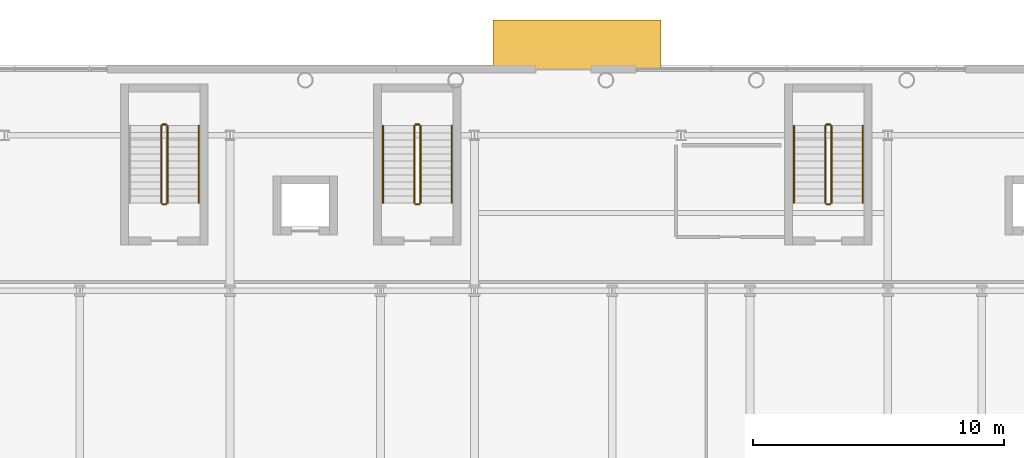
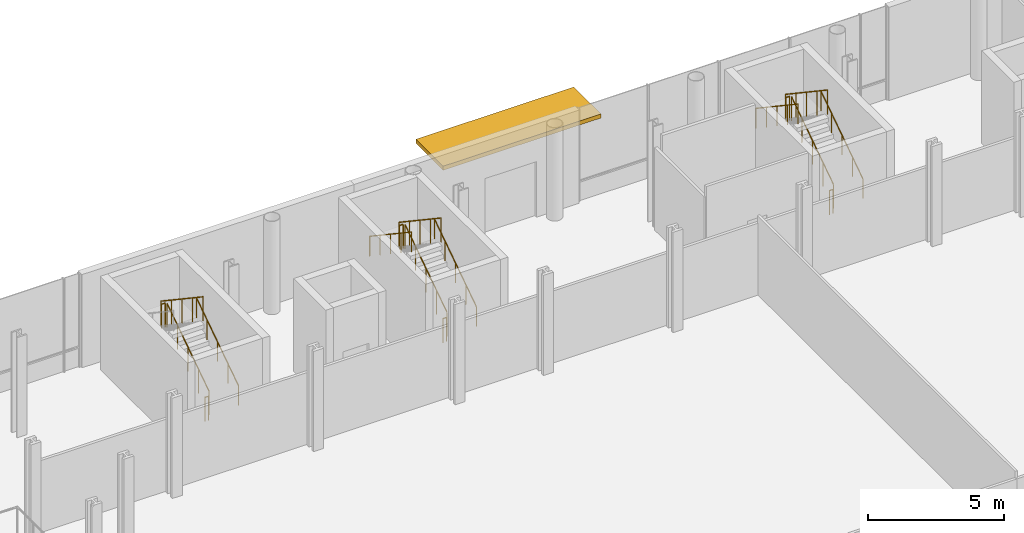
# One storey, part 26 of 28: 17 railings, 1 shading device.
"""IFC4 building model written with IfcOpenShell, lengths in metres."""

from ifc_helpers import new_model, si_unit, direction, frame, origin, origin_2d, place, context, subcontext, project, spatial, polyline, circle, outline, extrude, material, layer, layer_set, type_object, element, save


model = new_model("IFC4")

# Units and contexts
model_context = context("Model", 3, precision=1e-05, world=origin(), true_north=direction((0.0, 1.0)))
body_context = subcontext(model_context, "Body", "Model", "MODEL_VIEW")
ifc_project = project(units=[si_unit("LENGTHUNIT", "METRE"), si_unit("AREAUNIT", "SQUARE_METRE"), si_unit("VOLUMEUNIT", "CUBIC_METRE"), si_unit("PLANEANGLEUNIT", "RADIAN"), si_unit("MASSUNIT", "GRAM", prefix="KILO")], contexts=[model_context])

# Site, building, storey
site_placement = place(None, origin())
site = spatial("IfcSite", under=ifc_project, at=site_placement, CompositionType="ELEMENT")
building_placement = place(site_placement, origin())
building = spatial("IfcBuilding", under=site, at=building_placement, Name="Brevholm Reach", CompositionType="ELEMENT")
storey_placement = place(building_placement, origin())
storey = spatial("IfcBuildingStorey", under=building, at=storey_placement, Name="L00", CompositionType="ELEMENT", Elevation=0.0)

# Railings
ifc_material_1 = material(Name="Brushed Stainless Steel EN 1.4401 Continuous Handrail", Category="steel")
railing_type_1 = type_object("IfcRailingType", Name="RAL-HND-950", PredefinedType="HANDRAIL", material=ifc_material_1)
for number, where, name in (
    (1, (10.75, 34.5, 0.1875), "L00 ST-S1 stair handrail 1"),
    (2, (20.85009765625, 34.5, 0.1875), "L00 ST-S2 stair handrail 1"),
):
    element("IfcRailing", number, at=place(storey_placement, frame(where)), inside=storey, type_object=railing_type_1, Name=name, PredefinedType="HANDRAIL", context=body_context, shape_type="SweptSolid", body=[
        extrude(circle(Radius=0.02392578125, at=origin_2d()), frame((0.0, 0.0, 0.8857421875), z_axis=(0.0, 0.830913701846, 0.55640131208), x_axis=(-1.0, 0.0, 0.0)), (0.0, 0.0, 1.0), 3.706787109375),
        extrude(circle(Radius=0.02099609375, at=origin_2d()), origin(), (0.0, 0.0, 1.0), 0.86181640625),
        extrude(circle(Radius=0.02099609375, at=origin_2d()), frame((0.0, 0.77001953125, 0.515625)), (0.0, 0.0, 1.0), 0.86181640625),
        extrude(circle(Radius=0.02099609375, at=origin_2d()), frame((0.0, 1.5400390625, 1.03125)), (0.0, 0.0, 1.0), 0.86181640625),
        extrude(circle(Radius=0.02099609375, at=origin_2d()), frame((0.0, 2.31005859375, 1.546875)), (0.0, 0.0, 1.0), 0.86181640625),
        extrude(circle(Radius=0.02099609375, at=origin_2d()), frame((0.0, 3.080078125, 2.0625)), (0.0, 0.0, 1.0), 0.86181640625),
    ])
railing_1_placement = place(storey_placement, frame((18.10009765625, 37.580078125, 2.4375)))
element("IfcRailing", 3, at=railing_1_placement, inside=storey, type_object=railing_type_1, Name="L00 ST-S2 stair handrail 2", PredefinedType="HANDRAIL", context=body_context, shape_type="SweptSolid", body=[
    extrude(circle(Radius=0.02392578125, at=origin_2d()), frame((0.0, 0.0, 0.8857421875), z_axis=(0.0, -0.830913701846, 0.55640131208), x_axis=(1.0, 0.0, 0.0)), (0.0, 0.0, 1.0), 3.706787109375),
    extrude(circle(Radius=0.02099609375, at=origin_2d()), origin(), (0.0, 0.0, 1.0), 0.86181640625),
    extrude(circle(Radius=0.02099609375, at=origin_2d()), frame((0.0, -0.77001953125, 0.515625)), (0.0, 0.0, 1.0), 0.86181640625),
    extrude(circle(Radius=0.02099609375, at=origin_2d()), frame((0.0, -1.5400390625, 1.03125)), (0.0, 0.0, 1.0), 0.86181640625),
    extrude(circle(Radius=0.02099609375, at=origin_2d()), frame((0.0, -2.31005859375, 1.546875)), (0.0, 0.0, 1.0), 0.86181640625),
    extrude(circle(Radius=0.02099609375, at=origin_2d()), frame((0.0, -3.080078125, 2.0625)), (0.0, 0.0, 1.0), 0.86181640625),
])
railing_2_placement = place(storey_placement, frame((37.25, 34.5, 0.1875)))
element("IfcRailing", 4, at=railing_2_placement, inside=storey, type_object=railing_type_1, Name="L00 ST-S3 stair handrail 1", PredefinedType="HANDRAIL", context=body_context, shape_type="SweptSolid", body=[
    extrude(circle(Radius=0.02392578125, at=origin_2d()), frame((0.0, 0.0, 0.8857421875), z_axis=(0.0, 0.830913701846, 0.55640131208), x_axis=(-1.0, 0.0, 0.0)), (0.0, 0.0, 1.0), 3.706787109375),
    extrude(circle(Radius=0.02099609375, at=origin_2d()), origin(), (0.0, 0.0, 1.0), 0.86181640625),
    extrude(circle(Radius=0.02099609375, at=origin_2d()), frame((0.0, 0.77001953125, 0.515625)), (0.0, 0.0, 1.0), 0.86181640625),
    extrude(circle(Radius=0.02099609375, at=origin_2d()), frame((0.0, 1.5400390625, 1.03125)), (0.0, 0.0, 1.0), 0.86181640625),
    extrude(circle(Radius=0.02099609375, at=origin_2d()), frame((0.0, 2.31005859375, 1.546875)), (0.0, 0.0, 1.0), 0.86181640625),
    extrude(circle(Radius=0.02099609375, at=origin_2d()), frame((0.0, 3.080078125, 2.0625)), (0.0, 0.0, 1.0), 0.86181640625),
])
railing_3_placement = place(storey_placement, frame((34.5, 37.580078125, 2.4375)))
element("IfcRailing", 5, at=railing_3_placement, inside=storey, type_object=railing_type_1, Name="L00 ST-S3 stair handrail 2", PredefinedType="HANDRAIL", context=body_context, shape_type="SweptSolid", body=[
    extrude(circle(Radius=0.02392578125, at=origin_2d()), frame((0.0, 0.0, 0.8857421875), z_axis=(0.0, -0.830913701846, 0.55640131208), x_axis=(1.0, 0.0, 0.0)), (0.0, 0.0, 1.0), 3.706787109375),
    extrude(circle(Radius=0.02099609375, at=origin_2d()), origin(), (0.0, 0.0, 1.0), 0.86181640625),
    extrude(circle(Radius=0.02099609375, at=origin_2d()), frame((0.0, -0.77001953125, 0.515625)), (0.0, 0.0, 1.0), 0.86181640625),
    extrude(circle(Radius=0.02099609375, at=origin_2d()), frame((0.0, -1.5400390625, 1.03125)), (0.0, 0.0, 1.0), 0.86181640625),
    extrude(circle(Radius=0.02099609375, at=origin_2d()), frame((0.0, -2.31005859375, 1.546875)), (0.0, 0.0, 1.0), 0.86181640625),
    extrude(circle(Radius=0.02099609375, at=origin_2d()), frame((0.0, -3.080078125, 2.0625)), (0.0, 0.0, 1.0), 0.86181640625),
])
ifc_material_2 = material(Name="Painted Tubular Galvanised Steel S275JR Stair Guard", Category="steel")
railing_type_2 = type_object("IfcRailingType", Name="RAL-STG-1120", PredefinedType="BALUSTRADE", material=ifc_material_2)
railing_4_placement = place(storey_placement, frame((9.5, 34.5, 0.1875)))
element("IfcRailing", 6, at=railing_4_placement, inside=storey, type_object=railing_type_2, Name="L00 ST-S1 stair guard 1", PredefinedType="BALUSTRADE", context=body_context, shape_type="SweptSolid", body=[
    extrude(circle(Radius=0.02392578125, at=origin_2d()), frame((0.0, 0.0, 1.076171875), z_axis=(0.0, 0.830913701846, 0.55640131208), x_axis=(-1.0, 0.0, 0.0)), (0.0, 0.0, 1.0), 3.706787109375),
    extrude(circle(Radius=0.02099609375, at=origin_2d()), origin(), (0.0, 0.0, 1.0), 1.052001953125),
    extrude(circle(Radius=0.02099609375, at=origin_2d()), frame((0.0, 0.77001953125, 0.515625)), (0.0, 0.0, 1.0), 1.052001953125),
    extrude(circle(Radius=0.02099609375, at=origin_2d()), frame((0.0, 1.5400390625, 1.03125)), (0.0, 0.0, 1.0), 1.052001953125),
    extrude(circle(Radius=0.02099609375, at=origin_2d()), frame((0.0, 2.31005859375, 1.546875)), (0.0, 0.0, 1.0), 1.052001953125),
    extrude(circle(Radius=0.02099609375, at=origin_2d()), frame((0.0, 3.080078125, 2.0625)), (0.0, 0.0, 1.0), 1.052001953125),
])
railing_5_placement = place(storey_placement, frame((9.449951171875, 37.6298828125, 2.25)))
element("IfcRailing", 7, at=railing_5_placement, inside=storey, type_object=railing_type_2, Name="L00 ST-S1 stair guard 2", PredefinedType="BALUSTRADE", context=body_context, shape_type="SweptSolid", body=[
    extrude(circle(Radius=0.02392578125, at=origin_2d()), frame((0.0, 0.0, 1.076171875), z_axis=(-1.0, 0.0, 0.0), x_axis=(0.0, -1.0, 0.0)), (0.0, 0.0, 1.0), 0.14990234375),
    extrude(circle(Radius=0.02099609375, at=origin_2d()), origin(), (0.0, 0.0, 1.0), 1.052001953125),
    extrude(circle(Radius=0.02099609375, at=origin_2d()), frame((-0.14990234375, 0.0, 0.0)), (0.0, 0.0, 1.0), 1.052001953125),
])
railing_6_placement = place(storey_placement, frame((9.25, 37.580078125, 2.4375)))
element("IfcRailing", 8, at=railing_6_placement, inside=storey, type_object=railing_type_2, Name="L00 ST-S1 stair guard 3", PredefinedType="BALUSTRADE", context=body_context, shape_type="SweptSolid", body=[
    extrude(circle(Radius=0.02392578125, at=origin_2d()), frame((0.0, 0.0, 1.076171875), z_axis=(0.0, -0.830913701846, 0.55640131208), x_axis=(1.0, 0.0, 0.0)), (0.0, 0.0, 1.0), 3.706787109375),
    extrude(circle(Radius=0.02099609375, at=origin_2d()), origin(), (0.0, 0.0, 1.0), 1.052001953125),
    extrude(circle(Radius=0.02099609375, at=origin_2d()), frame((0.0, -0.77001953125, 0.515625)), (0.0, 0.0, 1.0), 1.052001953125),
    extrude(circle(Radius=0.02099609375, at=origin_2d()), frame((0.0, -1.5400390625, 1.03125)), (0.0, 0.0, 1.0), 1.052001953125),
    extrude(circle(Radius=0.02099609375, at=origin_2d()), frame((0.0, -2.31005859375, 1.546875)), (0.0, 0.0, 1.0), 1.052001953125),
    extrude(circle(Radius=0.02099609375, at=origin_2d()), frame((0.0, -3.080078125, 2.0625)), (0.0, 0.0, 1.0), 1.052001953125),
])
railing_7_placement = place(storey_placement, frame((9.449951171875, 34.449951171875, 0.0)))
element("IfcRailing", 9, at=railing_7_placement, inside=storey, type_object=railing_type_2, Name="L00 ST-S1 stair guard 4", PredefinedType="BALUSTRADE", context=body_context, shape_type="SweptSolid", body=[
    extrude(circle(Radius=0.02392578125, at=origin_2d()), frame((0.0, 0.0, 1.076171875), z_axis=(-1.0, 0.0, 0.0), x_axis=(0.0, -1.0, 0.0)), (0.0, 0.0, 1.0), 0.14990234375),
    extrude(circle(Radius=0.02099609375, at=origin_2d()), origin(), (0.0, 0.0, 1.0), 1.052001953125),
    extrude(circle(Radius=0.02099609375, at=origin_2d()), frame((-0.14990234375, 0.0, 0.0)), (0.0, 0.0, 1.0), 1.052001953125),
])
railing_8_placement = place(storey_placement, frame((19.60009765625, 34.5, 0.1875)))
element("IfcRailing", 10, at=railing_8_placement, inside=storey, type_object=railing_type_2, Name="L00 ST-S2 stair guard 1", PredefinedType="BALUSTRADE", context=body_context, shape_type="SweptSolid", body=[
    extrude(circle(Radius=0.02392578125, at=origin_2d()), frame((0.0, 0.0, 1.076171875), z_axis=(0.0, 0.830913701846, 0.55640131208), x_axis=(-1.0, 0.0, 0.0)), (0.0, 0.0, 1.0), 3.706787109375),
    extrude(circle(Radius=0.02099609375, at=origin_2d()), origin(), (0.0, 0.0, 1.0), 1.052001953125),
    extrude(circle(Radius=0.02099609375, at=origin_2d()), frame((0.0, 0.77001953125, 0.515625)), (0.0, 0.0, 1.0), 1.052001953125),
    extrude(circle(Radius=0.02099609375, at=origin_2d()), frame((0.0, 1.5400390625, 1.03125)), (0.0, 0.0, 1.0), 1.052001953125),
    extrude(circle(Radius=0.02099609375, at=origin_2d()), frame((0.0, 2.31005859375, 1.546875)), (0.0, 0.0, 1.0), 1.052001953125),
    extrude(circle(Radius=0.02099609375, at=origin_2d()), frame((0.0, 3.080078125, 2.0625)), (0.0, 0.0, 1.0), 1.052001953125),
])
railing_9_placement = place(storey_placement, frame((19.550048828125, 37.6298828125, 2.25)))
element("IfcRailing", 11, at=railing_9_placement, inside=storey, type_object=railing_type_2, Name="L00 ST-S2 stair guard 2", PredefinedType="BALUSTRADE", context=body_context, shape_type="SweptSolid", body=[
    extrude(circle(Radius=0.02392578125, at=origin_2d()), frame((0.0, 0.0, 1.076171875), z_axis=(-1.0, 0.0, 0.0), x_axis=(0.0, -1.0, 0.0)), (0.0, 0.0, 1.0), 0.150146484375),
    extrude(circle(Radius=0.02099609375, at=origin_2d()), origin(), (0.0, 0.0, 1.0), 1.052001953125),
    extrude(circle(Radius=0.02099609375, at=origin_2d()), frame((-0.150146484375, 0.0, 0.0)), (0.0, 0.0, 1.0), 1.052001953125),
])
railing_10_placement = place(storey_placement, frame((19.35009765625, 37.580078125, 2.4375)))
element("IfcRailing", 12, at=railing_10_placement, inside=storey, type_object=railing_type_2, Name="L00 ST-S2 stair guard 3", PredefinedType="BALUSTRADE", context=body_context, shape_type="SweptSolid", body=[
    extrude(circle(Radius=0.02392578125, at=origin_2d()), frame((0.0, 0.0, 1.076171875), z_axis=(0.0, -0.830913701846, 0.55640131208), x_axis=(1.0, 0.0, 0.0)), (0.0, 0.0, 1.0), 3.706787109375),
    extrude(circle(Radius=0.02099609375, at=origin_2d()), origin(), (0.0, 0.0, 1.0), 1.052001953125),
    extrude(circle(Radius=0.02099609375, at=origin_2d()), frame((0.0, -0.77001953125, 0.515625)), (0.0, 0.0, 1.0), 1.052001953125),
    extrude(circle(Radius=0.02099609375, at=origin_2d()), frame((0.0, -1.5400390625, 1.03125)), (0.0, 0.0, 1.0), 1.052001953125),
    extrude(circle(Radius=0.02099609375, at=origin_2d()), frame((0.0, -2.31005859375, 1.546875)), (0.0, 0.0, 1.0), 1.052001953125),
    extrude(circle(Radius=0.02099609375, at=origin_2d()), frame((0.0, -3.080078125, 2.0625)), (0.0, 0.0, 1.0), 1.052001953125),
])
railing_11_placement = place(storey_placement, frame((19.550048828125, 34.449951171875, 0.0)))
element("IfcRailing", 13, at=railing_11_placement, inside=storey, type_object=railing_type_2, Name="L00 ST-S2 stair guard 4", PredefinedType="BALUSTRADE", context=body_context, shape_type="SweptSolid", body=[
    extrude(circle(Radius=0.02392578125, at=origin_2d()), frame((0.0, 0.0, 1.076171875), z_axis=(-1.0, 0.0, 0.0), x_axis=(0.0, -1.0, 0.0)), (0.0, 0.0, 1.0), 0.150146484375),
    extrude(circle(Radius=0.02099609375, at=origin_2d()), origin(), (0.0, 0.0, 1.0), 1.052001953125),
    extrude(circle(Radius=0.02099609375, at=origin_2d()), frame((-0.150146484375, 0.0, 0.0)), (0.0, 0.0, 1.0), 1.052001953125),
])
railing_12_placement = place(storey_placement, frame((36.0, 34.5, 0.1875)))
element("IfcRailing", 14, at=railing_12_placement, inside=storey, type_object=railing_type_2, Name="L00 ST-S3 stair guard 1", PredefinedType="BALUSTRADE", context=body_context, shape_type="SweptSolid", body=[
    extrude(circle(Radius=0.02392578125, at=origin_2d()), frame((0.0, 0.0, 1.076171875), z_axis=(0.0, 0.830913701846, 0.55640131208), x_axis=(-1.0, 0.0, 0.0)), (0.0, 0.0, 1.0), 3.706787109375),
    extrude(circle(Radius=0.02099609375, at=origin_2d()), origin(), (0.0, 0.0, 1.0), 1.052001953125),
    extrude(circle(Radius=0.02099609375, at=origin_2d()), frame((0.0, 0.77001953125, 0.515625)), (0.0, 0.0, 1.0), 1.052001953125),
    extrude(circle(Radius=0.02099609375, at=origin_2d()), frame((0.0, 1.5400390625, 1.03125)), (0.0, 0.0, 1.0), 1.052001953125),
    extrude(circle(Radius=0.02099609375, at=origin_2d()), frame((0.0, 2.31005859375, 1.546875)), (0.0, 0.0, 1.0), 1.052001953125),
    extrude(circle(Radius=0.02099609375, at=origin_2d()), frame((0.0, 3.080078125, 2.0625)), (0.0, 0.0, 1.0), 1.052001953125),
])
railing_13_placement = place(storey_placement, frame((35.949951171875, 37.6298828125, 2.25)))
element("IfcRailing", 15, at=railing_13_placement, inside=storey, type_object=railing_type_2, Name="L00 ST-S3 stair guard 2", PredefinedType="BALUSTRADE", context=body_context, shape_type="SweptSolid", body=[
    extrude(circle(Radius=0.02392578125, at=origin_2d()), frame((0.0, 0.0, 1.076171875), z_axis=(-1.0, 0.0, 0.0), x_axis=(0.0, -1.0, 0.0)), (0.0, 0.0, 1.0), 0.14990234375),
    extrude(circle(Radius=0.02099609375, at=origin_2d()), origin(), (0.0, 0.0, 1.0), 1.052001953125),
    extrude(circle(Radius=0.02099609375, at=origin_2d()), frame((-0.14990234375, 0.0, 0.0)), (0.0, 0.0, 1.0), 1.052001953125),
])
railing_14_placement = place(storey_placement, frame((35.75, 37.580078125, 2.4375)))
element("IfcRailing", 16, at=railing_14_placement, inside=storey, type_object=railing_type_2, Name="L00 ST-S3 stair guard 3", PredefinedType="BALUSTRADE", context=body_context, shape_type="SweptSolid", body=[
    extrude(circle(Radius=0.02392578125, at=origin_2d()), frame((0.0, 0.0, 1.076171875), z_axis=(0.0, -0.830913701846, 0.55640131208), x_axis=(1.0, 0.0, 0.0)), (0.0, 0.0, 1.0), 3.706787109375),
    extrude(circle(Radius=0.02099609375, at=origin_2d()), origin(), (0.0, 0.0, 1.0), 1.052001953125),
    extrude(circle(Radius=0.02099609375, at=origin_2d()), frame((0.0, -0.77001953125, 0.515625)), (0.0, 0.0, 1.0), 1.052001953125),
    extrude(circle(Radius=0.02099609375, at=origin_2d()), frame((0.0, -1.5400390625, 1.03125)), (0.0, 0.0, 1.0), 1.052001953125),
    extrude(circle(Radius=0.02099609375, at=origin_2d()), frame((0.0, -2.31005859375, 1.546875)), (0.0, 0.0, 1.0), 1.052001953125),
    extrude(circle(Radius=0.02099609375, at=origin_2d()), frame((0.0, -3.080078125, 2.0625)), (0.0, 0.0, 1.0), 1.052001953125),
])
railing_15_placement = place(storey_placement, frame((35.949951171875, 34.449951171875, 0.0)))
element("IfcRailing", 17, at=railing_15_placement, inside=storey, type_object=railing_type_2, Name="L00 ST-S3 stair guard 4", PredefinedType="BALUSTRADE", context=body_context, shape_type="SweptSolid", body=[
    extrude(circle(Radius=0.02392578125, at=origin_2d()), frame((0.0, 0.0, 1.076171875), z_axis=(-1.0, 0.0, 0.0), x_axis=(0.0, -1.0, 0.0)), (0.0, 0.0, 1.0), 0.14990234375),
    extrude(circle(Radius=0.02099609375, at=origin_2d()), origin(), (0.0, 0.0, 1.0), 1.052001953125),
    extrude(circle(Radius=0.02099609375, at=origin_2d()), frame((-0.14990234375, 0.0, 0.0)), (0.0, 0.0, 1.0), 1.052001953125),
])

# Shading device
ifc_material_3 = material(Name="Champagne-Bronze Anodised Aluminium and Laminated Glass", Category="aluminium")
ifc_layer = layer(ifc_material_3, 0.179931640625)
ifc_layer_set = layer_set([ifc_layer], Name="Champagne-Bronze Anodised Aluminium and Laminated Glass")
shading_device_type = type_object("IfcShadingDeviceType", Name="SHD-CAN-200", PredefinedType="AWNING", material=ifc_layer_set)
shading_device_placement = place(storey_placement, frame((0.0, 0.0, 3.39990234375)))
element("IfcShadingDevice", 18, at=shading_device_placement, inside=storey, type_object=shading_device_type, Name="L00 North School Waterfront Canopy", PredefinedType="AWNING", context=body_context, shape_type="SweptSolid", body=[
    extrude(outline(polyline([(22.5, 39.800048828125), (29.199951171875, 39.800048828125), (29.199951171875, 41.800048828125), (22.5, 41.800048828125), (22.5, 39.800048828125)])), origin(), (0.0, 0.0, 1.0), 0.18017578125),
])

save(model, "model.ifc")
